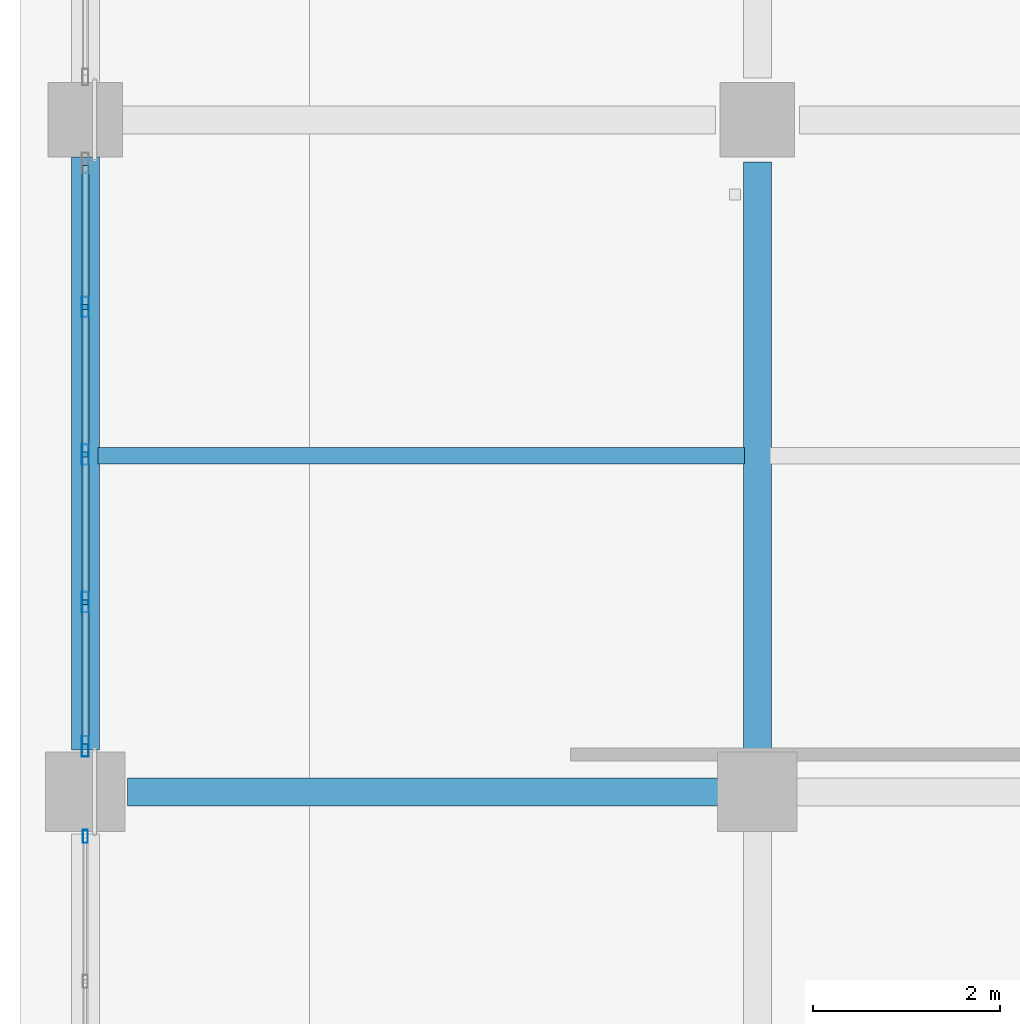
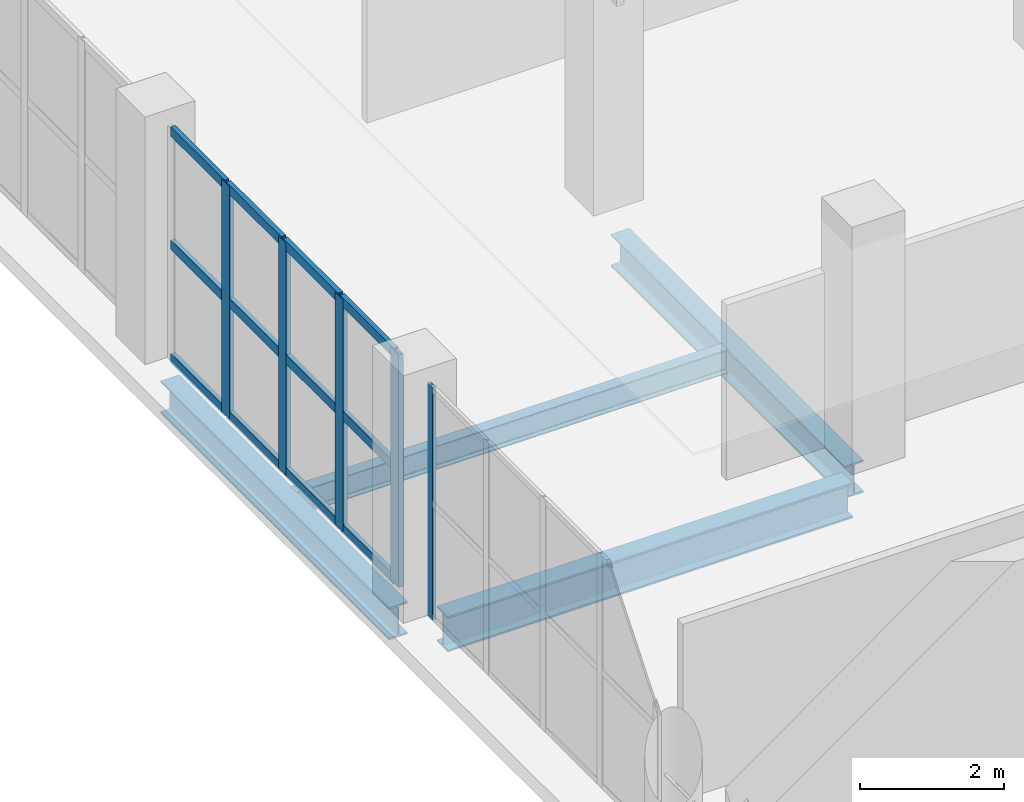
# One storey, part 23 of 153: 17 members, 4 beams, 2 elements without a shape of their own.
"""IFC4 building model written with IfcOpenShell, lengths in metres."""

from ifc_helpers import new_model, si_unit, direction, frame, origin, origin_2d, place, context, subcontext, project, spatial, hollow_rectangle, i_section, extrude, material, material_profile, profile_set, type_object, element, aggregate, save


model = new_model("IFC4")

# Units and contexts
model_context = context("Model", 3, precision=1e-05, world=origin(), true_north=direction((0.0, 1.0)))
body_context = subcontext(model_context, "Body", "Model", "MODEL_VIEW")
ifc_project = project(units=[si_unit("LENGTHUNIT", "METRE"), si_unit("AREAUNIT", "SQUARE_METRE"), si_unit("VOLUMEUNIT", "CUBIC_METRE"), si_unit("PLANEANGLEUNIT", "RADIAN"), si_unit("MASSUNIT", "GRAM", prefix="KILO")], contexts=[model_context])

# Site, building, storey
site_placement = place(None, origin())
site = spatial("IfcSite", under=ifc_project, at=site_placement, CompositionType="ELEMENT")
building_placement = place(site_placement, origin())
building = spatial("IfcBuilding", under=site, at=building_placement, Name="Qandorah Velis Arena", CompositionType="ELEMENT")
storey_placement = place(building_placement, frame((0.0, 0.0, 5.39990234375)))
storey = spatial("IfcBuildingStorey", under=building, at=storey_placement, Name="L01", CompositionType="ELEMENT", Elevation=5.39990234375)

# Curtain wall, member
ifc_material_1 = material(Name="Solar-control low-E double glazing", Category="glass")
curtain_wall_type_1 = type_object("IfcCurtainWallType", Name="ARC-CW-SYS04", PredefinedType="USERDEFINED", material=ifc_material_1)
curtain_wall_1_placement = place(storey_placement, origin())
curtain_wall_1 = element("IfcCurtainWall", 1, at=curtain_wall_1_placement, inside=storey, type_object=curtain_wall_type_1, Name="Unitised curtain wall L01-004", ObjectType="UNITISED CURTAIN WALL", PredefinedType="USERDEFINED")
ifc_material_2 = material(Name="Champagne-bronze anodized aluminium 6063-T6", Category="aluminium")
ifc_material_profile_1 = material_profile(ifc_material_2, hollow_rectangle(XDim=0.054931640625, YDim=0.139892578125, WallThickness=0.0029296875, at=origin_2d()), Name="ALU MULLION 55x140")
ifc_profile_set_1 = profile_set([ifc_material_profile_1], Name="Champagne-bronze anodized aluminium 6063-T6")
member_type_1 = type_object("IfcMemberType", Name="ARC-CWM-140", PredefinedType="MULLION", material=ifc_profile_set_1)
member_1_placement = place(storey_placement, frame((0.0, 57.12255859375, -0.014892578125), z_axis=(0.0, 0.0, 1.0), x_axis=(-1.0, 0.0, 0.0)))
member_1 = element("IfcMember", 2, at=member_1_placement, type_object=member_type_1, Name="CW04 mullion 5", PredefinedType="MULLION", context=body_context, shape_type="SweptSolid", body=[
    extrude(hollow_rectangle(XDim=0.054931640625, YDim=0.139892578125, WallThickness=0.0029296875, at=origin_2d()), origin(), (0.0, 0.0, 1.0), 3.949951171875),
])
aggregate(curtain_wall_1, [member_1])

# Curtain wall, members
curtain_wall_type_2 = type_object("IfcCurtainWallType", Name="ARC-CW-SYS05", PredefinedType="USERDEFINED", material=ifc_material_1)
curtain_wall_2_placement = place(storey_placement, origin())
curtain_wall_2 = element("IfcCurtainWall", 3, at=curtain_wall_2_placement, inside=storey, type_object=curtain_wall_type_2, Name="Unitised curtain wall L01-005", ObjectType="UNITISED CURTAIN WALL", PredefinedType="USERDEFINED")
ifc_material_profile_2 = material_profile(ifc_material_2, hollow_rectangle(XDim=0.074951171875, YDim=0.219970703125, WallThickness=0.00390625, at=origin_2d()), Name="ALU MULLION 75x220")
ifc_profile_set_2 = profile_set([ifc_material_profile_2], Name="Champagne-bronze anodized aluminium 6063-T6")
member_type_2 = type_object("IfcMemberType", Name="ARC-CWM-220", PredefinedType="MULLION", material=ifc_profile_set_2)
member_2_placement = place(storey_placement, frame((0.0, 58.08740234375, -0.014892578125), z_axis=(0.0, 0.0, 1.0), x_axis=(-1.0, 0.0, 0.0)))
member_2 = element("IfcMember", 4, at=member_2_placement, type_object=member_type_2, Name="CW05 mullion 1", PredefinedType="MULLION", context=body_context, shape_type="SweptSolid", body=[
    extrude(hollow_rectangle(XDim=0.074951171875, YDim=0.219970703125, WallThickness=0.00390625, at=origin_2d()), origin(), (0.0, 0.0, 1.0), 3.949951171875),
])
member_3_placement = place(storey_placement, frame((0.0, 59.63134765625, -0.014892578125), z_axis=(0.0, 0.0, 1.0), x_axis=(-1.0, 0.0, 0.0)))
member_3 = element("IfcMember", 5, at=member_3_placement, type_object=member_type_2, Name="CW05 mullion 2", PredefinedType="MULLION", context=body_context, shape_type="SweptSolid", body=[
    extrude(hollow_rectangle(XDim=0.074951171875, YDim=0.219970703125, WallThickness=0.00390625, at=origin_2d()), origin(), (0.0, 0.0, 1.0), 3.949951171875),
])
member_4_placement = place(storey_placement, frame((0.0, 61.21240234375, -0.014892578125), z_axis=(0.0, 0.0, 1.0), x_axis=(-1.0, 0.0, 0.0)))
member_4 = element("IfcMember", 6, at=member_4_placement, type_object=member_type_2, Name="CW05 mullion 3", PredefinedType="MULLION", context=body_context, shape_type="SweptSolid", body=[
    extrude(hollow_rectangle(XDim=0.074951171875, YDim=0.219970703125, WallThickness=0.00390625, at=origin_2d()), origin(), (0.0, 0.0, 1.0), 3.949951171875),
])
member_5_placement = place(storey_placement, frame((0.0, 62.793701171875, -0.014892578125), z_axis=(0.0, 0.0, 1.0), x_axis=(-1.0, 0.0, 0.0)))
member_5 = element("IfcMember", 7, at=member_5_placement, type_object=member_type_2, Name="CW05 mullion 4", PredefinedType="MULLION", context=body_context, shape_type="SweptSolid", body=[
    extrude(hollow_rectangle(XDim=0.074951171875, YDim=0.219970703125, WallThickness=0.00390625, at=origin_2d()), origin(), (0.0, 0.0, 1.0), 3.949951171875),
])
ifc_material_profile_3 = material_profile(ifc_material_2, hollow_rectangle(XDim=0.074951171875, YDim=0.159912109375, WallThickness=0.00341796875, at=origin_2d()), Name="ALU TRANSOM 75x160")
ifc_profile_set_3 = profile_set([ifc_material_profile_3], Name="Champagne-bronze anodized aluminium 6063-T6")
member_type_3 = type_object("IfcMemberType", Name="ARC-CWT-160", PredefinedType="USERDEFINED", material=ifc_profile_set_3)
member_6_placement = place(storey_placement, frame((0.0, 58.113037109375, 0.03759765625), z_axis=(0.0, 1.0, 0.0), x_axis=(-1.0, 0.0, 0.0)))
member_6 = element("IfcMember", 8, at=member_6_placement, type_object=member_type_3, Name="CW05 transom 1.1", ObjectType="TRANSOM", PredefinedType="USERDEFINED", context=body_context, shape_type="SweptSolid", body=[
    extrude(hollow_rectangle(XDim=0.074951171875, YDim=0.159912109375, WallThickness=0.00341796875, at=origin_2d()), origin(), (0.0, 0.0, 1.0), 1.49267578125),
])
member_7_placement = place(storey_placement, frame((0.0, 58.113037109375, 1.960205078125), z_axis=(0.0, 1.0, 0.0), x_axis=(-1.0, 0.0, 0.0)))
member_7 = element("IfcMember", 9, at=member_7_placement, type_object=member_type_3, Name="CW05 transom 1.2", ObjectType="TRANSOM", PredefinedType="USERDEFINED", context=body_context, shape_type="SweptSolid", body=[
    extrude(hollow_rectangle(XDim=0.074951171875, YDim=0.159912109375, WallThickness=0.00341796875, at=origin_2d()), origin(), (0.0, 0.0, 1.0), 1.49267578125),
])
member_8_placement = place(storey_placement, frame((0.0, 58.113037109375, 3.882568359375), z_axis=(0.0, 1.0, 0.0), x_axis=(-1.0, 0.0, 0.0)))
member_8 = element("IfcMember", 10, at=member_8_placement, type_object=member_type_3, Name="CW05 transom 1.3", ObjectType="TRANSOM", PredefinedType="USERDEFINED", context=body_context, shape_type="SweptSolid", body=[
    extrude(hollow_rectangle(XDim=0.074951171875, YDim=0.159912109375, WallThickness=0.00341796875, at=origin_2d()), origin(), (0.0, 0.0, 1.0), 1.49267578125),
])
member_9_placement = place(storey_placement, frame((0.0, 59.65673828125, 0.03759765625), z_axis=(0.0, 1.0, 0.0), x_axis=(-1.0, 0.0, 0.0)))
member_9 = element("IfcMember", 11, at=member_9_placement, type_object=member_type_3, Name="CW05 transom 2.1", ObjectType="TRANSOM", PredefinedType="USERDEFINED", context=body_context, shape_type="SweptSolid", body=[
    extrude(hollow_rectangle(XDim=0.074951171875, YDim=0.159912109375, WallThickness=0.00341796875, at=origin_2d()), origin(), (0.0, 0.0, 1.0), 1.5302734375),
])
member_10_placement = place(storey_placement, frame((0.0, 59.65673828125, 1.960205078125), z_axis=(0.0, 1.0, 0.0), x_axis=(-1.0, 0.0, 0.0)))
member_10 = element("IfcMember", 12, at=member_10_placement, type_object=member_type_3, Name="CW05 transom 2.2", ObjectType="TRANSOM", PredefinedType="USERDEFINED", context=body_context, shape_type="SweptSolid", body=[
    extrude(hollow_rectangle(XDim=0.074951171875, YDim=0.159912109375, WallThickness=0.00341796875, at=origin_2d()), origin(), (0.0, 0.0, 1.0), 1.5302734375),
])
member_11_placement = place(storey_placement, frame((0.0, 59.65673828125, 3.882568359375), z_axis=(0.0, 1.0, 0.0), x_axis=(-1.0, 0.0, 0.0)))
member_11 = element("IfcMember", 13, at=member_11_placement, type_object=member_type_3, Name="CW05 transom 2.3", ObjectType="TRANSOM", PredefinedType="USERDEFINED", context=body_context, shape_type="SweptSolid", body=[
    extrude(hollow_rectangle(XDim=0.074951171875, YDim=0.159912109375, WallThickness=0.00341796875, at=origin_2d()), origin(), (0.0, 0.0, 1.0), 1.5302734375),
])
member_12_placement = place(storey_placement, frame((0.0, 61.238037109375, 0.03759765625), z_axis=(0.0, 1.0, 0.0), x_axis=(-1.0, 0.0, 0.0)))
member_12 = element("IfcMember", 14, at=member_12_placement, type_object=member_type_3, Name="CW05 transom 3.1", ObjectType="TRANSOM", PredefinedType="USERDEFINED", context=body_context, shape_type="SweptSolid", body=[
    extrude(hollow_rectangle(XDim=0.074951171875, YDim=0.159912109375, WallThickness=0.00341796875, at=origin_2d()), origin(), (0.0, 0.0, 1.0), 1.5302734375),
])
member_13_placement = place(storey_placement, frame((0.0, 61.238037109375, 1.960205078125), z_axis=(0.0, 1.0, 0.0), x_axis=(-1.0, 0.0, 0.0)))
member_13 = element("IfcMember", 15, at=member_13_placement, type_object=member_type_3, Name="CW05 transom 3.2", ObjectType="TRANSOM", PredefinedType="USERDEFINED", context=body_context, shape_type="SweptSolid", body=[
    extrude(hollow_rectangle(XDim=0.074951171875, YDim=0.159912109375, WallThickness=0.00341796875, at=origin_2d()), origin(), (0.0, 0.0, 1.0), 1.5302734375),
])
member_14_placement = place(storey_placement, frame((0.0, 61.238037109375, 3.882568359375), z_axis=(0.0, 1.0, 0.0), x_axis=(-1.0, 0.0, 0.0)))
member_14 = element("IfcMember", 16, at=member_14_placement, type_object=member_type_3, Name="CW05 transom 3.3", ObjectType="TRANSOM", PredefinedType="USERDEFINED", context=body_context, shape_type="SweptSolid", body=[
    extrude(hollow_rectangle(XDim=0.074951171875, YDim=0.159912109375, WallThickness=0.00341796875, at=origin_2d()), origin(), (0.0, 0.0, 1.0), 1.5302734375),
])
member_15_placement = place(storey_placement, frame((0.0, 62.819091796875, 0.03759765625), z_axis=(0.0, 1.0, 0.0), x_axis=(-1.0, 0.0, 0.0)))
member_15 = element("IfcMember", 17, at=member_15_placement, type_object=member_type_3, Name="CW05 transom 4.1", ObjectType="TRANSOM", PredefinedType="USERDEFINED", context=body_context, shape_type="SweptSolid", body=[
    extrude(hollow_rectangle(XDim=0.074951171875, YDim=0.159912109375, WallThickness=0.00341796875, at=origin_2d()), origin(), (0.0, 0.0, 1.0), 1.492919921875),
])
member_16_placement = place(storey_placement, frame((0.0, 62.819091796875, 1.960205078125), z_axis=(0.0, 1.0, 0.0), x_axis=(-1.0, 0.0, 0.0)))
member_16 = element("IfcMember", 18, at=member_16_placement, type_object=member_type_3, Name="CW05 transom 4.2", ObjectType="TRANSOM", PredefinedType="USERDEFINED", context=body_context, shape_type="SweptSolid", body=[
    extrude(hollow_rectangle(XDim=0.074951171875, YDim=0.159912109375, WallThickness=0.00341796875, at=origin_2d()), origin(), (0.0, 0.0, 1.0), 1.492919921875),
])
member_17_placement = place(storey_placement, frame((0.0, 62.819091796875, 3.882568359375), z_axis=(0.0, 1.0, 0.0), x_axis=(-1.0, 0.0, 0.0)))
member_17 = element("IfcMember", 19, at=member_17_placement, type_object=member_type_3, Name="CW05 transom 4.3", ObjectType="TRANSOM", PredefinedType="USERDEFINED", context=body_context, shape_type="SweptSolid", body=[
    extrude(hollow_rectangle(XDim=0.074951171875, YDim=0.159912109375, WallThickness=0.00341796875, at=origin_2d()), origin(), (0.0, 0.0, 1.0), 1.492919921875),
])
aggregate(curtain_wall_2, [member_2, member_3, member_4, member_5, member_6, member_7, member_8, member_9, member_10, member_11, member_12, member_13, member_14, member_15, member_16, member_17])

# Beams
ifc_material_3 = material(Name="Steel S355", Category="steel")
ifc_material_profile_4 = material_profile(ifc_material_3, i_section(OverallWidth=0.300048828125, OverallDepth=0.550048828125, WebThickness=0.014892578125, FlangeThickness=0.029052734375, FilletRadius=0.027099609375, at=origin_2d()), Name="HEB 550")
ifc_profile_set_4 = profile_set([ifc_material_profile_4], Name="Steel S355")
beam_type_1 = type_object("IfcBeamType", Name="STR-BM-HEB550", PredefinedType="BEAM", material=ifc_profile_set_4)
beam_1_placement = place(storey_placement, frame((0.0, 58.050048828125, -0.635009765625), z_axis=(0.0, 1.0, 0.0), x_axis=(-1.0, 0.0, 0.0)))
element("IfcBeam", 20, at=beam_1_placement, inside=storey, type_object=beam_type_1, Name="Primary floor girder L01 Y-228", PredefinedType="BEAM", context=body_context, shape_type="SweptSolid", body=[
    extrude(i_section(OverallWidth=0.300048828125, OverallDepth=0.550048828125, WebThickness=0.014892578125, FlangeThickness=0.029052734375, FilletRadius=0.027099609375, at=origin_2d()), origin(), (0.0, 0.0, 1.0), 6.349853515625),
])
beam_2_placement = place(storey_placement, frame((7.199951171875, 57.85009765625, -0.635009765625), z_axis=(0.0, 1.0, 0.0), x_axis=(-1.0, 0.0, 0.0)))
element("IfcBeam", 21, at=beam_2_placement, inside=storey, type_object=beam_type_1, Name="Primary floor girder L01 Y-246", PredefinedType="BEAM", context=body_context, shape_type="SweptSolid", body=[
    extrude(i_section(OverallWidth=0.300048828125, OverallDepth=0.550048828125, WebThickness=0.014892578125, FlangeThickness=0.029052734375, FilletRadius=0.027099609375, at=origin_2d()), origin(), (0.0, 0.0, 1.0), 6.5),
])
ifc_material_profile_5 = material_profile(ifc_material_3, i_section(OverallWidth=0.300048828125, OverallDepth=0.60009765625, WebThickness=0.015380859375, FlangeThickness=0.030029296875, FilletRadius=0.027099609375, at=origin_2d()), Name="HEB 600")
ifc_profile_set_5 = profile_set([ifc_material_profile_5], Name="Steel S355")
beam_type_2 = type_object("IfcBeamType", Name="STR-BM-HEB600", PredefinedType="BEAM", material=ifc_profile_set_5)
beam_3_placement = place(storey_placement, frame((0.449951171875, 57.60009765625, -0.659912109375), z_axis=(1.0, 0.0, 0.0), x_axis=(0.0, 1.0, 0.0)))
element("IfcBeam", 22, at=beam_3_placement, inside=storey, type_object=beam_type_2, Name="Primary floor girder L01 X-097", PredefinedType="BEAM", context=body_context, shape_type="SweptSolid", body=[
    extrude(i_section(OverallWidth=0.300048828125, OverallDepth=0.60009765625, WebThickness=0.015380859375, FlangeThickness=0.030029296875, FilletRadius=0.027099609375, at=origin_2d()), origin(), (0.0, 0.0, 1.0), 6.5),
])
ifc_material_profile_6 = material_profile(ifc_material_3, i_section(OverallWidth=0.179931640625, OverallDepth=0.39990234375, WebThickness=0.008544921875, FlangeThickness=0.013427734375, FilletRadius=0.02099609375, at=origin_2d()), Name="IPE 400")
ifc_profile_set_6 = profile_set([ifc_material_profile_6], Name="Steel S355")
beam_type_3 = type_object("IfcBeamType", Name="STR-JST-IPE400", PredefinedType="JOIST", material=ifc_profile_set_6)
beam_4_placement = place(storey_placement, frame((0.135009765625, 61.199951171875, -0.559814453125), z_axis=(1.0, 0.0, 0.0), x_axis=(0.0, 1.0, 0.0)))
element("IfcBeam", 23, at=beam_4_placement, inside=storey, type_object=beam_type_3, Name="Secondary floor joist L01-007", PredefinedType="JOIST", context=body_context, shape_type="SweptSolid", body=[
    extrude(i_section(OverallWidth=0.179931640625, OverallDepth=0.39990234375, WebThickness=0.008544921875, FlangeThickness=0.013427734375, FilletRadius=0.02099609375, at=origin_2d()), origin(), (0.0, 0.0, 1.0), 6.929931640625),
])

save(model, "model.ifc")
